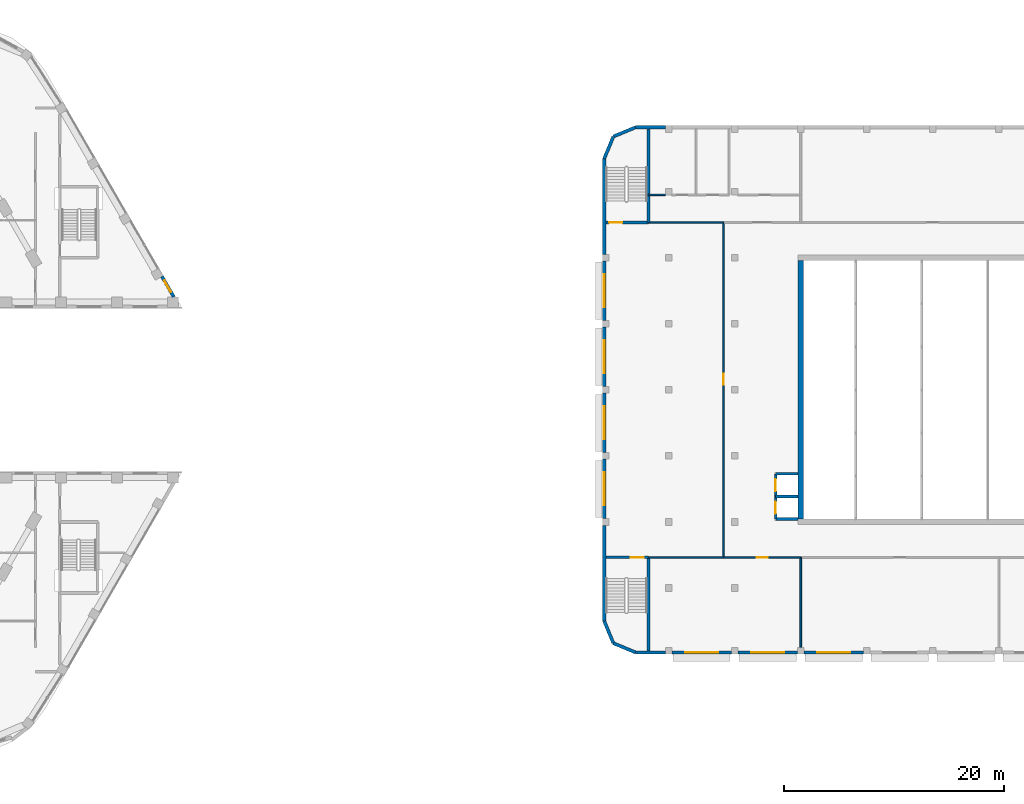
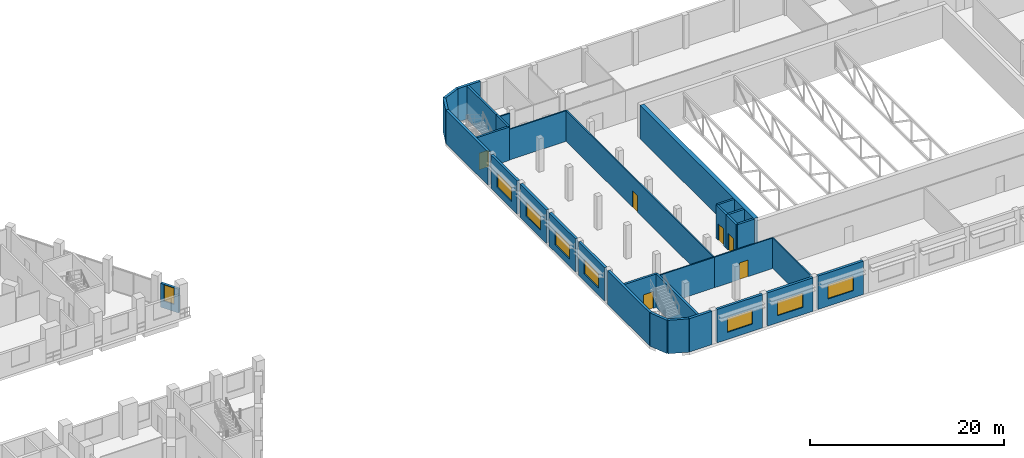
# One storey, part 26 of 47: 33 walls, 8 windows, 6 doors, 14 openings.
"""IFC4 building model written with IfcOpenShell, lengths in metres."""

from ifc_helpers import new_model, si_unit, direction, frame, frame_2d, origin, place, context, subcontext, project, spatial, rectangle, extrude, material, layer, layer_set, type_object, element, fill, save


model = new_model("IFC4")

# Units and contexts
model_context = context("Model", 3, precision=1e-05, world=origin(), true_north=direction((0.0, 1.0)))
body_context = subcontext(model_context, "Body", "Model", "MODEL_VIEW")
ifc_project = project(units=[si_unit("LENGTHUNIT", "METRE"), si_unit("AREAUNIT", "SQUARE_METRE"), si_unit("VOLUMEUNIT", "CUBIC_METRE"), si_unit("PLANEANGLEUNIT", "RADIAN"), si_unit("MASSUNIT", "GRAM", prefix="KILO")], contexts=[model_context])

# Site, building, storey
site_placement = place(None, origin())
site = spatial("IfcSite", under=ifc_project, at=site_placement, CompositionType="ELEMENT")
building_placement = place(site_placement, origin())
building = spatial("IfcBuilding", under=site, at=building_placement, Name="Nakaniwa Court", CompositionType="ELEMENT")
storey_placement = place(building_placement, frame((0.0, 0.0, 15.60009765625)))
storey = spatial("IfcBuildingStorey", under=building, at=storey_placement, Name="L03", CompositionType="ELEMENT", Elevation=15.60009765625)

# Wall
ifc_material_1 = material(Name="Concrete C50/60", Category="concrete")
ifc_layer_1 = layer(ifc_material_1, 0.5)
ifc_layer_set_1 = layer_set([ifc_layer_1], Name="Concrete C50/60")
wall_type_1 = type_object("IfcWallType", Name="Auditorium acoustic mass wall RC 500", PredefinedType="SHEAR", material=ifc_layer_set_1)
wall_1_placement = place(storey_placement, frame((170.0, 68.25, 0.0), z_axis=(0.0, 0.0, 1.0), x_axis=(0.0, 1.0, 0.0)))
element("IfcWall", 1, at=wall_1_placement, inside=storey, type_object=wall_type_1, Name="Auditorium west wall L03", PredefinedType="SHEAR", context=body_context, shape_type="SweptSolid", body=[
    extrude(rectangle(XDim=23.5, YDim=0.5, at=frame_2d((11.75, 0.0))), origin(), (0.0, 0.0, 1.0), 4.199951171875),
])

# Wall, opening, window
ifc_material_2 = material(Name="Charcoal ceramic cladding")
ifc_layer_2 = layer(ifc_material_2, 0.02, Name="Ceramic cladding")
ifc_material_3 = material(Name="Ventilated air cavity")
ifc_layer_3 = layer(ifc_material_3, 0.04, ventilated=True, Name="Ventilated cavity")
ifc_material_4 = material(Name="Mineral wool insulation")
ifc_layer_4 = layer(ifc_material_4, 0.1, Name="Insulation")
ifc_material_5 = material(Name="Cement bonded sheathing board")
ifc_layer_5 = layer(ifc_material_5, 0.012, Name="Sheathing")
ifc_material_6 = material(Name="Cold-formed galvanised stud frame with mineral wool infill")
ifc_layer_6 = layer(ifc_material_6, 0.1, Name="Stud frame")
ifc_material_7 = material(Name="Fire-rated gypsum plasterboard lining")
ifc_layer_7 = layer(ifc_material_7, 0.028, Name="Lining")
ifc_layer_set_2 = layer_set([ifc_layer_2, ifc_layer_3, ifc_layer_4, ifc_layer_5, ifc_layer_6, ifc_layer_7], Name="Charcoal ceramic faced external wall system")
wall_type_2 = type_object("IfcWallType", Name="Black ceramic faced external wall 300", PredefinedType="SOLIDWALL", material=ifc_layer_set_2)
wall_2_placement = place(storey_placement, frame((113.055419921875, 88.446533203125, 0.0), z_axis=(0.0, 0.0, 1.0), x_axis=(-0.499987977232, 0.866032345022, 0.0)))
wall_2 = element("IfcWall", 2, at=wall_2_placement, inside=storey, type_object=wall_type_2, Name="L03 external wall 39", PredefinedType="SOLIDWALL", context=body_context, shape_type="SweptSolid", body=[
    extrude(rectangle(XDim=2.14892578125, YDim=0.300048828125, at=frame_2d((1.074462890625, 0.0))), origin(), (0.0, 0.0, 1.0), 3.0),
])
opening_1_placement = place(wall_2_placement, frame((0.525146484375, 0.0, 0.89990234375)))
opening_1 = element("IfcOpeningElement", 3, at=opening_1_placement, cuts=wall_2, Name="Opening W1.34", PredefinedType="OPENING", context=body_context, shape_type="SweptSolid", body=[
    extrude(rectangle(XDim=1.199951171875, YDim=2.050048828125, at=frame_2d((0.60009765625, 1.02490234375))), frame((0.0, 0.159912109375, 0.0), z_axis=(0.0, -1.0, 0.0), x_axis=(1.0, 0.0, 0.0)), (0.0, 0.0, 1.0), 0.320068359375),
])
ifc_material_8 = material(Name="Black anodised aluminium frame with dark low-E laminated double glazing", Category="aluminium")
window_type_1 = type_object("IfcWindowType", Name="Dark glass window 1200x2050 sill 900", PartitioningType="SINGLE_PANEL", PredefinedType="WINDOW", material=ifc_material_8)
window_1_placement = place(opening_1_placement, origin())
window_1 = element("IfcWindow", 4, at=window_1_placement, inside=storey, type_object=window_type_1, Name="L03 habitable room window 39-0", OverallHeight=2.050048828125, OverallWidth=1.199951171875, PartitioningType="SINGLE_PANEL", PredefinedType="WINDOW", context=body_context, shape_type="SweptSolid", body=[
    extrude(rectangle(XDim=1.199951171875, YDim=2.050048828125, at=frame_2d((0.60009765625, 1.02490234375))), frame((0.0, 0.030029296875, 0.0), z_axis=(0.0, -1.0, 0.0), x_axis=(1.0, 0.0, 0.0)), (0.0, 0.0, 1.0), 0.06005859375),
])
fill(opening_1, window_1)

# Walls
ifc_layer_8 = layer(ifc_material_1, 0.300048828125)
ifc_layer_set_3 = layer_set([ifc_layer_8], Name="Concrete C50/60")
wall_type_3 = type_object("IfcWallType", Name="Fair faced concrete wall 300", PredefinedType="SOLIDWALL", material=ifc_layer_set_3)
for number, where, z_axis, x_axis, name in (
    (5, (155.0, 56.14990234375, 0.0), (0.0, 0.0, 1.0), (-0.923892706888, 0.382651625058, 0.0), "Facade wall L03 1"),
    (6, (152.984619140625, 56.984619140625, 0.0), (0.0, 0.0, 1.0), (-0.382651625058, 0.923892706888, 0.0), "Facade wall L03 2"),
):
    element("IfcWall", number, at=place(storey_placement, frame(where, z_axis=z_axis, x_axis=x_axis)), inside=storey, type_object=wall_type_3, Name=name, PredefinedType="SOLIDWALL", context=body_context, shape_type="SweptSolid", body=[
        extrude(rectangle(XDim=2.181396484375, YDim=0.300048828125, at=frame_2d((1.0908203125, 0.0))), origin(), (0.0, 0.0, 1.0), 4.199951171875),
    ])
wall_3_placement = place(storey_placement, frame((152.14990234375, 59.0, 0.0), z_axis=(0.0, 0.0, 1.0), x_axis=(0.0, 1.0, 0.0)))
element("IfcWall", 7, at=wall_3_placement, inside=storey, type_object=wall_type_3, Name="Facade wall L03 3", PredefinedType="SOLIDWALL", context=body_context, shape_type="SweptSolid", body=[
    extrude(rectangle(XDim=8.699951171875, YDim=0.300048828125, at=frame_2d((4.35009765625, 0.0))), origin(), (0.0, 0.0, 1.0), 4.199951171875),
])

# Wall, opening, window
wall_4_placement = place(storey_placement, frame((152.14990234375, 68.300048828125, 0.0), z_axis=(0.0, 0.0, 1.0), x_axis=(0.0, 1.0, 0.0)))
wall_4 = element("IfcWall", 8, at=wall_4_placement, inside=storey, type_object=wall_type_3, Name="Facade wall L03 4", PredefinedType="SOLIDWALL", context=body_context, shape_type="SweptSolid", body=[
    extrude(rectangle(XDim=5.39990234375, YDim=0.300048828125, at=frame_2d((2.699951171875, 0.0))), origin(), (0.0, 0.0, 1.0), 4.199951171875),
])
opening_2_placement = place(wall_4_placement, frame((1.199951171875, 0.0, 0.89990234375)))
opening_2 = element("IfcOpeningElement", 9, at=opening_2_placement, cuts=wall_4, Name="Opening HWN-52", PredefinedType="OPENING", context=body_context, shape_type="SweptSolid", body=[
    extrude(rectangle(XDim=3.0, YDim=1.800048828125, at=frame_2d((1.5, 0.89990234375))), frame((0.0, 0.159912109375, 0.0), z_axis=(0.0, -1.0, 0.0), x_axis=(1.0, 0.0, 0.0)), (0.0, 0.0, 1.0), 0.320068359375),
])
ifc_material_9 = material(Name="Black powder-coated aluminium frame with dark glass", Category="aluminium")
window_type_2 = type_object("IfcWindowType", Name="Hall window 3000x1800", PartitioningType="SINGLE_PANEL", PredefinedType="WINDOW", material=ifc_material_9)
window_2_placement = place(opening_2_placement, origin())
window_2 = element("IfcWindow", 10, at=window_2_placement, inside=storey, type_object=window_type_2, Name="Window L03:003", OverallHeight=1.800048828125, OverallWidth=3.0, PartitioningType="SINGLE_PANEL", PredefinedType="WINDOW", context=body_context, shape_type="SweptSolid", body=[
    extrude(rectangle(XDim=3.0, YDim=1.800048828125, at=frame_2d((1.5, 0.89990234375))), frame((0.0, 0.030029296875, 0.0), z_axis=(0.0, -1.0, 0.0), x_axis=(1.0, 0.0, 0.0)), (0.0, 0.0, 1.0), 0.06005859375),
])
fill(opening_2, window_2)

wall_5_placement = place(storey_placement, frame((152.14990234375, 74.300048828125, 0.0), z_axis=(0.0, 0.0, 1.0), x_axis=(0.0, 1.0, 0.0)))
wall_5 = element("IfcWall", 11, at=wall_5_placement, inside=storey, type_object=wall_type_3, Name="Facade wall L03 5", PredefinedType="SOLIDWALL", context=body_context, shape_type="SweptSolid", body=[
    extrude(rectangle(XDim=5.39990234375, YDim=0.300048828125, at=frame_2d((2.699951171875, 0.0))), origin(), (0.0, 0.0, 1.0), 4.199951171875),
])
opening_3_placement = place(wall_5_placement, frame((1.199951171875, 0.0, 0.89990234375)))
opening_3 = element("IfcOpeningElement", 12, at=opening_3_placement, cuts=wall_5, Name="Opening HWN-53", PredefinedType="OPENING", context=body_context, shape_type="SweptSolid", body=[
    extrude(rectangle(XDim=3.0, YDim=1.800048828125, at=frame_2d((1.5, 0.89990234375))), frame((0.0, 0.159912109375, 0.0), z_axis=(0.0, -1.0, 0.0), x_axis=(1.0, 0.0, 0.0)), (0.0, 0.0, 1.0), 0.320068359375),
])
window_3_placement = place(opening_3_placement, origin())
window_3 = element("IfcWindow", 13, at=window_3_placement, inside=storey, type_object=window_type_2, Name="Window L03:004", OverallHeight=1.800048828125, OverallWidth=3.0, PartitioningType="SINGLE_PANEL", PredefinedType="WINDOW", context=body_context, shape_type="SweptSolid", body=[
    extrude(rectangle(XDim=3.0, YDim=1.800048828125, at=frame_2d((1.5, 0.89990234375))), frame((0.0, 0.030029296875, 0.0), z_axis=(0.0, -1.0, 0.0), x_axis=(1.0, 0.0, 0.0)), (0.0, 0.0, 1.0), 0.06005859375),
])
fill(opening_3, window_3)

wall_6_placement = place(storey_placement, frame((152.14990234375, 80.300048828125, 0.0), z_axis=(0.0, 0.0, 1.0), x_axis=(0.0, 1.0, 0.0)))
wall_6 = element("IfcWall", 14, at=wall_6_placement, inside=storey, type_object=wall_type_3, Name="Facade wall L03 6", PredefinedType="SOLIDWALL", context=body_context, shape_type="SweptSolid", body=[
    extrude(rectangle(XDim=5.39990234375, YDim=0.300048828125, at=frame_2d((2.699951171875, 0.0))), origin(), (0.0, 0.0, 1.0), 4.199951171875),
])
opening_4_placement = place(wall_6_placement, frame((1.199951171875, 0.0, 0.89990234375)))
opening_4 = element("IfcOpeningElement", 15, at=opening_4_placement, cuts=wall_6, Name="Opening HWN-54", PredefinedType="OPENING", context=body_context, shape_type="SweptSolid", body=[
    extrude(rectangle(XDim=3.0, YDim=1.800048828125, at=frame_2d((1.5, 0.89990234375))), frame((0.0, 0.159912109375, 0.0), z_axis=(0.0, -1.0, 0.0), x_axis=(1.0, 0.0, 0.0)), (0.0, 0.0, 1.0), 0.320068359375),
])
window_4_placement = place(opening_4_placement, origin())
window_4 = element("IfcWindow", 16, at=window_4_placement, inside=storey, type_object=window_type_2, Name="Window L03:005", OverallHeight=1.800048828125, OverallWidth=3.0, PartitioningType="SINGLE_PANEL", PredefinedType="WINDOW", context=body_context, shape_type="SweptSolid", body=[
    extrude(rectangle(XDim=3.0, YDim=1.800048828125, at=frame_2d((1.5, 0.89990234375))), frame((0.0, 0.030029296875, 0.0), z_axis=(0.0, -1.0, 0.0), x_axis=(1.0, 0.0, 0.0)), (0.0, 0.0, 1.0), 0.06005859375),
])
fill(opening_4, window_4)

wall_7_placement = place(storey_placement, frame((152.14990234375, 86.300048828125, 0.0), z_axis=(0.0, 0.0, 1.0), x_axis=(0.0, 1.0, 0.0)))
wall_7 = element("IfcWall", 17, at=wall_7_placement, inside=storey, type_object=wall_type_3, Name="Facade wall L03 7", PredefinedType="SOLIDWALL", context=body_context, shape_type="SweptSolid", body=[
    extrude(rectangle(XDim=5.39990234375, YDim=0.300048828125, at=frame_2d((2.699951171875, 0.0))), origin(), (0.0, 0.0, 1.0), 4.199951171875),
])
opening_5_placement = place(wall_7_placement, frame((1.199951171875, 0.0, 0.89990234375)))
opening_5 = element("IfcOpeningElement", 18, at=opening_5_placement, cuts=wall_7, Name="Opening HWN-55", PredefinedType="OPENING", context=body_context, shape_type="SweptSolid", body=[
    extrude(rectangle(XDim=3.0, YDim=1.800048828125, at=frame_2d((1.5, 0.89990234375))), frame((0.0, 0.159912109375, 0.0), z_axis=(0.0, -1.0, 0.0), x_axis=(1.0, 0.0, 0.0)), (0.0, 0.0, 1.0), 0.320068359375),
])
window_5_placement = place(opening_5_placement, origin())
window_5 = element("IfcWindow", 19, at=window_5_placement, inside=storey, type_object=window_type_2, Name="Window L03:006", OverallHeight=1.800048828125, OverallWidth=3.0, PartitioningType="SINGLE_PANEL", PredefinedType="WINDOW", context=body_context, shape_type="SweptSolid", body=[
    extrude(rectangle(XDim=3.0, YDim=1.800048828125, at=frame_2d((1.5, 0.89990234375))), frame((0.0, 0.030029296875, 0.0), z_axis=(0.0, -1.0, 0.0), x_axis=(1.0, 0.0, 0.0)), (0.0, 0.0, 1.0), 0.06005859375),
])
fill(opening_5, window_5)

# Walls
wall_8_placement = place(storey_placement, frame((152.14990234375, 92.300048828125, 0.0), z_axis=(0.0, 0.0, 1.0), x_axis=(0.0, 1.0, 0.0)))
element("IfcWall", 20, at=wall_8_placement, inside=storey, type_object=wall_type_3, Name="Facade wall L03 8", PredefinedType="SOLIDWALL", context=body_context, shape_type="SweptSolid", body=[
    extrude(rectangle(XDim=8.699951171875, YDim=0.300048828125, at=frame_2d((4.35009765625, 0.0))), origin(), (0.0, 0.0, 1.0), 4.199951171875),
])
for number, where, z_axis, x_axis, name in (
    (21, (152.14990234375, 101.0, 0.0), (0.0, 0.0, 1.0), (0.382651625058, 0.923892706888, 0.0), "Facade wall L03 9"),
    (22, (152.984619140625, 103.015380859375, 0.0), (0.0, 0.0, 1.0), (0.923892706888, 0.382651625058, 0.0), "Facade wall L03 10"),
):
    element("IfcWall", number, at=place(storey_placement, frame(where, z_axis=z_axis, x_axis=x_axis)), inside=storey, type_object=wall_type_3, Name=name, PredefinedType="SOLIDWALL", context=body_context, shape_type="SweptSolid", body=[
        extrude(rectangle(XDim=2.181396484375, YDim=0.300048828125, at=frame_2d((1.0908203125, 0.0))), origin(), (0.0, 0.0, 1.0), 4.199951171875),
    ])
wall_9_placement = place(storey_placement, frame((155.0, 103.85009765625, 0.0), z_axis=(0.0, 0.0, 1.0), x_axis=(1.0, 0.0, 0.0)))
element("IfcWall", 23, at=wall_9_placement, inside=storey, type_object=wall_type_3, Name="Facade wall L03 11", PredefinedType="SOLIDWALL", context=body_context, shape_type="SweptSolid", body=[
    extrude(rectangle(XDim=2.699951171875, YDim=0.300048828125, at=frame_2d((1.35009765625, 0.0))), origin(), (0.0, 0.0, 1.0), 4.199951171875),
])

# Wall, opening, window
wall_10_placement = place(storey_placement, frame((175.699951171875, 56.14990234375, 0.0), z_axis=(0.0, 0.0, 1.0), x_axis=(-1.0, 0.0, 0.0)))
wall_10 = element("IfcWall", 24, at=wall_10_placement, inside=storey, type_object=wall_type_3, Name="Facade wall L03 39", PredefinedType="SOLIDWALL", context=body_context, shape_type="SweptSolid", body=[
    extrude(rectangle(XDim=5.39990234375, YDim=0.300048828125, at=frame_2d((2.699951171875, 0.0))), origin(), (0.0, 0.0, 1.0), 4.199951171875),
])
opening_6_placement = place(wall_10_placement, frame((1.199951171875, 0.0, 0.89990234375)))
opening_6 = element("IfcOpeningElement", 25, at=opening_6_placement, cuts=wall_10, Name="Opening HWN-61", PredefinedType="OPENING", context=body_context, shape_type="SweptSolid", body=[
    extrude(rectangle(XDim=3.0, YDim=1.800048828125, at=frame_2d((1.5, 0.89990234375))), frame((0.0, 0.159912109375, 0.0), z_axis=(0.0, -1.0, 0.0), x_axis=(1.0, 0.0, 0.0)), (0.0, 0.0, 1.0), 0.320068359375),
])
window_6_placement = place(opening_6_placement, origin())
window_6 = element("IfcWindow", 26, at=window_6_placement, inside=storey, type_object=window_type_2, Name="Window L03:038", OverallHeight=1.800048828125, OverallWidth=3.0, PartitioningType="SINGLE_PANEL", PredefinedType="WINDOW", context=body_context, shape_type="SweptSolid", body=[
    extrude(rectangle(XDim=3.0, YDim=1.800048828125, at=frame_2d((1.5, 0.89990234375))), frame((0.0, 0.030029296875, 0.0), z_axis=(0.0, -1.0, 0.0), x_axis=(1.0, 0.0, 0.0)), (0.0, 0.0, 1.0), 0.06005859375),
])
fill(opening_6, window_6)

wall_11_placement = place(storey_placement, frame((169.699951171875, 56.14990234375, 0.0), z_axis=(0.0, 0.0, 1.0), x_axis=(-1.0, 0.0, 0.0)))
wall_11 = element("IfcWall", 27, at=wall_11_placement, inside=storey, type_object=wall_type_3, Name="Facade wall L03 40", PredefinedType="SOLIDWALL", context=body_context, shape_type="SweptSolid", body=[
    extrude(rectangle(XDim=5.39990234375, YDim=0.300048828125, at=frame_2d((2.699951171875, 0.0))), origin(), (0.0, 0.0, 1.0), 4.199951171875),
])
opening_7_placement = place(wall_11_placement, frame((1.199951171875, 0.0, 0.89990234375)))
opening_7 = element("IfcOpeningElement", 28, at=opening_7_placement, cuts=wall_11, Name="Opening HWN-62", PredefinedType="OPENING", context=body_context, shape_type="SweptSolid", body=[
    extrude(rectangle(XDim=3.0, YDim=1.800048828125, at=frame_2d((1.5, 0.89990234375))), frame((0.0, 0.159912109375, 0.0), z_axis=(0.0, -1.0, 0.0), x_axis=(1.0, 0.0, 0.0)), (0.0, 0.0, 1.0), 0.320068359375),
])
window_7_placement = place(opening_7_placement, origin())
window_7 = element("IfcWindow", 29, at=window_7_placement, inside=storey, type_object=window_type_2, Name="Window L03:039", OverallHeight=1.800048828125, OverallWidth=3.0, PartitioningType="SINGLE_PANEL", PredefinedType="WINDOW", context=body_context, shape_type="SweptSolid", body=[
    extrude(rectangle(XDim=3.0, YDim=1.800048828125, at=frame_2d((1.5, 0.89990234375))), frame((0.0, 0.030029296875, 0.0), z_axis=(0.0, -1.0, 0.0), x_axis=(1.0, 0.0, 0.0)), (0.0, 0.0, 1.0), 0.06005859375),
])
fill(opening_7, window_7)

wall_12_placement = place(storey_placement, frame((163.699951171875, 56.14990234375, 0.0), z_axis=(0.0, 0.0, 1.0), x_axis=(-1.0, 0.0, 0.0)))
wall_12 = element("IfcWall", 30, at=wall_12_placement, inside=storey, type_object=wall_type_3, Name="Facade wall L03 41", PredefinedType="SOLIDWALL", context=body_context, shape_type="SweptSolid", body=[
    extrude(rectangle(XDim=5.39990234375, YDim=0.300048828125, at=frame_2d((2.699951171875, 0.0))), origin(), (0.0, 0.0, 1.0), 4.199951171875),
])
opening_8_placement = place(wall_12_placement, frame((1.199951171875, 0.0, 0.89990234375)))
opening_8 = element("IfcOpeningElement", 31, at=opening_8_placement, cuts=wall_12, Name="Opening HWN-63", PredefinedType="OPENING", context=body_context, shape_type="SweptSolid", body=[
    extrude(rectangle(XDim=3.0, YDim=1.800048828125, at=frame_2d((1.5, 0.89990234375))), frame((0.0, 0.159912109375, 0.0), z_axis=(0.0, -1.0, 0.0), x_axis=(1.0, 0.0, 0.0)), (0.0, 0.0, 1.0), 0.320068359375),
])
window_8_placement = place(opening_8_placement, origin())
window_8 = element("IfcWindow", 32, at=window_8_placement, inside=storey, type_object=window_type_2, Name="Window L03:040", OverallHeight=1.800048828125, OverallWidth=3.0, PartitioningType="SINGLE_PANEL", PredefinedType="WINDOW", context=body_context, shape_type="SweptSolid", body=[
    extrude(rectangle(XDim=3.0, YDim=1.800048828125, at=frame_2d((1.5, 0.89990234375))), frame((0.0, 0.030029296875, 0.0), z_axis=(0.0, -1.0, 0.0), x_axis=(1.0, 0.0, 0.0)), (0.0, 0.0, 1.0), 0.06005859375),
])
fill(opening_8, window_8)

# Wall
wall_13_placement = place(storey_placement, frame((157.699951171875, 56.14990234375, 0.0), z_axis=(0.0, 0.0, 1.0), x_axis=(-1.0, 0.0, 0.0)))
element("IfcWall", 33, at=wall_13_placement, inside=storey, type_object=wall_type_3, Name="Facade wall L03 42", PredefinedType="SOLIDWALL", context=body_context, shape_type="SweptSolid", body=[
    extrude(rectangle(XDim=2.699951171875, YDim=0.300048828125, at=frame_2d((1.35009765625, 0.0))), origin(), (0.0, 0.0, 1.0), 4.199951171875),
])

# Wall, opening, door
ifc_material_10 = material(Name="Concrete C40/50", Category="concrete")
ifc_layer_9 = layer(ifc_material_10, 0.25)
ifc_layer_set_4 = layer_set([ifc_layer_9], Name="Concrete C40/50")
wall_type_4 = type_object("IfcWallType", Name="Fire isolated shaft wall RC 250", PredefinedType="SOLIDWALL", material=ifc_layer_set_4)
wall_14_placement = place(storey_placement, frame((156.175048828125, 64.784912109375, 0.0), z_axis=(0.0, 0.0, 1.0), x_axis=(-1.0, 0.0, 0.0)))
wall_14 = element("IfcWall", 34, at=wall_14_placement, inside=storey, type_object=wall_type_4, Name="L03 shaft wall 1", PredefinedType="SOLIDWALL", context=body_context, shape_type="SweptSolid", body=[
    extrude(rectangle(XDim=3.875, YDim=0.25, at=frame_2d((1.9375, 0.0))), origin(), (0.0, 0.0, 1.0), 4.199951171875),
])
opening_9_placement = place(wall_14_placement, frame((0.425048828125, 0.0, 0.0)))
opening_9 = element("IfcOpeningElement", 35, at=opening_9_placement, cuts=wall_14, Name="Opening HD-110", PredefinedType="OPENING", context=body_context, shape_type="SweptSolid", body=[
    extrude(rectangle(XDim=1.199951171875, YDim=2.10009765625, at=frame_2d((0.60009765625, 1.050048828125))), frame((0.0, 0.135009765625, 0.0), z_axis=(0.0, -1.0, 0.0), x_axis=(1.0, 0.0, 0.0)), (0.0, 0.0, 1.0), 0.27001953125),
])
ifc_material_11 = material(Name="Insulated steel door leaf in steel frame", Category="steel")
door_type_1 = type_object("IfcDoorType", Name="Hall stair door 1200x2100", OperationType="SINGLE_SWING_LEFT", PredefinedType="DOOR", material=ifc_material_11)
door_1_placement = place(opening_9_placement, origin())
door_1 = element("IfcDoor", 36, at=door_1_placement, inside=storey, type_object=door_type_1, Name="L03 door Exit-stair-H1", OperationType="SINGLE_SWING_LEFT", OverallHeight=2.10009765625, OverallWidth=1.199951171875, PredefinedType="DOOR", context=body_context, shape_type="SweptSolid", body=[
    extrude(rectangle(XDim=1.199951171875, YDim=2.10009765625, at=frame_2d((0.60009765625, 1.050048828125))), frame((0.0, 0.02490234375, 0.0), z_axis=(0.0, -1.0, 0.0), x_axis=(1.0, 0.0, 0.0)), (0.0, 0.0, 1.0), 0.050048828125),
])
fill(opening_9, door_1)

wall_15_placement = place(storey_placement, frame((152.300048828125, 95.215087890625, 0.0), z_axis=(0.0, 0.0, 1.0), x_axis=(1.0, 0.0, 0.0)))
wall_15 = element("IfcWall", 37, at=wall_15_placement, inside=storey, type_object=wall_type_4, Name="L03 shaft wall 2", PredefinedType="SOLIDWALL", context=body_context, shape_type="SweptSolid", body=[
    extrude(rectangle(XDim=3.875, YDim=0.25, at=frame_2d((1.9375, 0.0))), origin(), (0.0, 0.0, 1.0), 4.199951171875),
])
opening_10_placement = place(wall_15_placement, frame((0.300048828125, 0.0, 0.0)))
opening_10 = element("IfcOpeningElement", 38, at=opening_10_placement, cuts=wall_15, Name="Opening HD-111", PredefinedType="OPENING", context=body_context, shape_type="SweptSolid", body=[
    extrude(rectangle(XDim=1.199951171875, YDim=2.10009765625, at=frame_2d((0.60009765625, 1.050048828125))), frame((0.0, 0.135009765625, 0.0), z_axis=(0.0, -1.0, 0.0), x_axis=(1.0, 0.0, 0.0)), (0.0, 0.0, 1.0), 0.27001953125),
])
door_2_placement = place(opening_10_placement, origin())
door_2 = element("IfcDoor", 39, at=door_2_placement, inside=storey, type_object=door_type_1, Name="L03 door Exit-stair-H2", OperationType="SINGLE_SWING_RIGHT", OverallHeight=2.10009765625, OverallWidth=1.199951171875, PredefinedType="DOOR", context=body_context, shape_type="SweptSolid", body=[
    extrude(rectangle(XDim=1.199951171875, YDim=2.10009765625, at=frame_2d((0.60009765625, 1.050048828125))), frame((0.0, 0.02490234375, 0.0), z_axis=(0.0, -1.0, 0.0), x_axis=(1.0, 0.0, 0.0)), (0.0, 0.0, 1.0), 0.050048828125),
])
fill(opening_10, door_2)

# Walls
wall_16_placement = place(storey_placement, frame((156.175048828125, 64.784912109375, 0.0), z_axis=(0.0, 0.0, 1.0), x_axis=(0.0, -1.0, 0.0)))
element("IfcWall", 40, at=wall_16_placement, inside=storey, type_object=wall_type_4, Name="L03 shaft wall 3", PredefinedType="SOLIDWALL", context=body_context, shape_type="SweptSolid", body=[
    extrude(rectangle(XDim=8.48486328125, YDim=0.25, at=frame_2d((4.242431640625, 0.0))), origin(), (0.0, 0.0, 1.0), 4.199951171875),
])
wall_17_placement = place(storey_placement, frame((156.175048828125, 97.715087890625, 0.0), z_axis=(0.0, 0.0, 1.0), x_axis=(0.0, -1.0, 0.0)))
element("IfcWall", 41, at=wall_17_placement, inside=storey, type_object=wall_type_4, Name="L03 shaft wall 6", PredefinedType="SOLIDWALL", context=body_context, shape_type="SweptSolid", body=[
    extrude(rectangle(XDim=2.5, YDim=0.25, at=frame_2d((1.25, 0.0))), origin(), (0.0, 0.0, 1.0), 4.199951171875),
])
wall_18_placement = place(storey_placement, frame((156.175048828125, 103.699951171875, 0.0), z_axis=(0.0, 0.0, 1.0), x_axis=(0.0, -1.0, 0.0)))
element("IfcWall", 42, at=wall_18_placement, inside=storey, type_object=wall_type_4, Name="L03 shaft wall 9", PredefinedType="SOLIDWALL", context=body_context, shape_type="SweptSolid", body=[
    extrude(rectangle(XDim=5.98486328125, YDim=0.25, at=frame_2d((2.992431640625, 0.0))), origin(), (0.0, 0.0, 1.0), 4.199951171875),
])
for number, where, z_axis, x_axis, name in (
    (43, (167.72509765625, 70.324951171875, 0.0), (0.0, 0.0, 1.0), (1.0, 0.0, 0.0), "L03 shaft wall 17"),
    (44, (169.75, 72.375, 0.0), (0.0, 0.0, 1.0), (-1.0, 0.0, 0.0), "L03 shaft wall 18"),
):
    element("IfcWall", number, at=place(storey_placement, frame(where, z_axis=z_axis, x_axis=x_axis)), inside=storey, type_object=wall_type_4, Name=name, PredefinedType="SOLIDWALL", context=body_context, shape_type="SweptSolid", body=[
        extrude(rectangle(XDim=2.02490234375, YDim=0.25, at=frame_2d((1.012451171875, 0.0))), origin(), (0.0, 0.0, 1.0), 4.199951171875),
    ])

# Wall, opening, door
wall_19_placement = place(storey_placement, frame((167.72509765625, 72.375, 0.0), z_axis=(0.0, 0.0, 1.0), x_axis=(0.0, -1.0, 0.0)))
wall_19 = element("IfcWall", 45, at=wall_19_placement, inside=storey, type_object=wall_type_4, Name="L03 shaft wall 19", PredefinedType="SOLIDWALL", context=body_context, shape_type="SweptSolid", body=[
    extrude(rectangle(XDim=2.050048828125, YDim=0.25, at=frame_2d((1.02490234375, 0.0))), origin(), (0.0, 0.0, 1.0), 4.199951171875),
])
opening_11_placement = place(wall_19_placement, frame((0.47509765625, 0.0, 0.0)))
opening_11 = element("IfcOpeningElement", 46, at=opening_11_placement, cuts=wall_19, Name="Opening LD-01", PredefinedType="OPENING", context=body_context, shape_type="SweptSolid", body=[
    extrude(rectangle(XDim=1.10009765625, YDim=2.10009765625, at=frame_2d((0.550048828125, 1.050048828125))), frame((0.0, 0.135009765625, 0.0), z_axis=(0.0, -1.0, 0.0), x_axis=(1.0, 0.0, 0.0)), (0.0, 0.0, 1.0), 0.27001953125),
])
ifc_material_12 = material(Name="Brushed stainless steel sliding landing door", Category="steel")
door_type_2 = type_object("IfcDoorType", Name="Hall lift landing door 1100x2100", OperationType="SLIDING_TO_LEFT", PredefinedType="DOOR", material=ifc_material_12)
door_3_placement = place(opening_11_placement, origin())
door_3 = element("IfcDoor", 47, at=door_3_placement, inside=storey, type_object=door_type_2, Name="L03 lift landing door HL2", OperationType="SLIDING_TO_LEFT", OverallHeight=2.10009765625, OverallWidth=1.10009765625, PredefinedType="DOOR", context=body_context, shape_type="SweptSolid", body=[
    extrude(rectangle(XDim=1.10009765625, YDim=2.10009765625, at=frame_2d((0.550048828125, 1.050048828125))), frame((0.0, 0.02490234375, 0.0), z_axis=(0.0, -1.0, 0.0), x_axis=(1.0, 0.0, 0.0)), (0.0, 0.0, 1.0), 0.050048828125),
])
fill(opening_11, door_3)

wall_20_placement = place(storey_placement, frame((167.72509765625, 70.324951171875, 0.0), z_axis=(0.0, 0.0, 1.0), x_axis=(0.0, -1.0, 0.0)))
wall_20 = element("IfcWall", 48, at=wall_20_placement, inside=storey, type_object=wall_type_4, Name="L03 shaft wall 20", PredefinedType="SOLIDWALL", context=body_context, shape_type="SweptSolid", body=[
    extrude(rectangle(XDim=2.050048828125, YDim=0.25, at=frame_2d((1.02490234375, 0.0))), origin(), (0.0, 0.0, 1.0), 4.199951171875),
])
opening_12_placement = place(wall_20_placement, frame((0.47509765625, 0.0, 0.0)))
opening_12 = element("IfcOpeningElement", 49, at=opening_12_placement, cuts=wall_20, Name="Opening LD-02", PredefinedType="OPENING", context=body_context, shape_type="SweptSolid", body=[
    extrude(rectangle(XDim=1.10009765625, YDim=2.10009765625, at=frame_2d((0.550048828125, 1.050048828125))), frame((0.0, 0.135009765625, 0.0), z_axis=(0.0, -1.0, 0.0), x_axis=(1.0, 0.0, 0.0)), (0.0, 0.0, 1.0), 0.27001953125),
])
door_4_placement = place(opening_12_placement, origin())
door_4 = element("IfcDoor", 50, at=door_4_placement, inside=storey, type_object=door_type_2, Name="L03 lift landing door HL1", OperationType="SLIDING_TO_LEFT", OverallHeight=2.10009765625, OverallWidth=1.10009765625, PredefinedType="DOOR", context=body_context, shape_type="SweptSolid", body=[
    extrude(rectangle(XDim=1.10009765625, YDim=2.10009765625, at=frame_2d((0.550048828125, 1.050048828125))), frame((0.0, 0.02490234375, 0.0), z_axis=(0.0, -1.0, 0.0), x_axis=(1.0, 0.0, 0.0)), (0.0, 0.0, 1.0), 0.050048828125),
])
fill(opening_12, door_4)

# Walls
wall_21_placement = place(storey_placement, frame((167.72509765625, 68.27490234375, 0.0), z_axis=(0.0, 0.0, 1.0), x_axis=(1.0, 0.0, 0.0)))
element("IfcWall", 51, at=wall_21_placement, inside=storey, type_object=wall_type_4, Name="L03 shaft wall 21", PredefinedType="SOLIDWALL", context=body_context, shape_type="SweptSolid", body=[
    extrude(rectangle(XDim=2.02490234375, YDim=0.25, at=frame_2d((1.012451171875, 0.0))), origin(), (0.0, 0.0, 1.0), 4.199951171875),
])
ifc_material_13 = material(Name="Steel stud plasterboard partition", Category="steel")
ifc_layer_10 = layer(ifc_material_13, 0.14990234375)
ifc_layer_set_5 = layer_set([ifc_layer_10], Name="Steel stud plasterboard partition")
wall_type_5 = type_object("IfcWallType", Name="Partition 150", PredefinedType="PARTITIONING", material=ifc_layer_set_5)
for number, where, z_axis, x_axis, name in (
    (52, (163.0, 64.784912109375, 0.0), (0.0, 0.0, 1.0), (-1.0, 0.0, 0.0), "L03 partition wall 4"),
    (53, (163.0, 95.215087890625, 0.0), (0.0, 0.0, 1.0), (-1.0, 0.0, 0.0), "L03 partition wall 5"),
):
    element("IfcWall", number, at=place(storey_placement, frame(where, z_axis=z_axis, x_axis=x_axis)), inside=storey, type_object=wall_type_5, Name=name, PredefinedType="PARTITIONING", context=body_context, shape_type="SweptSolid", body=[
        extrude(rectangle(XDim=6.824951171875, YDim=0.14990234375, at=frame_2d((3.41259765625, 0.0))), origin(), (0.0, 0.0, 1.0), 3.849853515625),
    ])

# Wall, opening, door
wall_22_placement = place(storey_placement, frame((170.0, 64.784912109375, 0.0), z_axis=(0.0, 0.0, 1.0), x_axis=(-1.0, 0.0, 0.0)))
wall_22 = element("IfcWall", 54, at=wall_22_placement, inside=storey, type_object=wall_type_5, Name="L03 partition wall 12", PredefinedType="PARTITIONING", context=body_context, shape_type="SweptSolid", body=[
    extrude(rectangle(XDim=7.0, YDim=0.14990234375, at=frame_2d((3.5, 0.0))), origin(), (0.0, 0.0, 1.0), 3.849853515625),
])
opening_13_placement = place(wall_22_placement, frame((3.0, 0.0, 0.0)))
opening_13 = element("IfcOpeningElement", 55, at=opening_13_placement, cuts=wall_22, Name="Opening HD-114", PredefinedType="OPENING", context=body_context, shape_type="SweptSolid", body=[
    extrude(rectangle(XDim=1.0, YDim=2.10009765625, at=frame_2d((0.5, 1.050048828125))), frame((0.0, 0.0849609375, 0.0), z_axis=(0.0, -1.0, 0.0), x_axis=(1.0, 0.0, 0.0)), (0.0, 0.0, 1.0), 0.169921875),
])
ifc_material_14 = material(Name="Solid-core timber door leaf in steel frame", Category="steel")
door_type_3 = type_object("IfcDoorType", Name="Hall door 1000x2100", OperationType="SINGLE_SWING_LEFT", PredefinedType="DOOR", material=ifc_material_14)
door_5_placement = place(opening_13_placement, origin())
door_5 = element("IfcDoor", 56, at=door_5_placement, inside=storey, type_object=door_type_3, Name="L03 door General-managers-office", OperationType="SINGLE_SWING_RIGHT", OverallHeight=2.10009765625, OverallWidth=1.0, PredefinedType="DOOR", context=body_context, shape_type="SweptSolid", body=[
    extrude(rectangle(XDim=1.0, YDim=2.10009765625, at=frame_2d((0.5, 1.050048828125))), frame((0.0, 0.02490234375, 0.0), z_axis=(0.0, -1.0, 0.0), x_axis=(1.0, 0.0, 0.0)), (0.0, 0.0, 1.0), 0.050048828125),
])
fill(opening_13, door_5)

wall_23_placement = place(storey_placement, frame((163.0, 64.784912109375, 0.0), z_axis=(0.0, 0.0, 1.0), x_axis=(0.0, 1.0, 0.0)))
wall_23 = element("IfcWall", 57, at=wall_23_placement, inside=storey, type_object=wall_type_5, Name="L03 partition wall 13", PredefinedType="PARTITIONING", context=body_context, shape_type="SweptSolid", body=[
    extrude(rectangle(XDim=30.43017578125, YDim=0.14990234375, at=frame_2d((15.215087890625, 0.0))), origin(), (0.0, 0.0, 1.0), 3.849853515625),
])
opening_14_placement = place(wall_23_placement, frame((15.679931640625, 0.0, 0.0)))
opening_14 = element("IfcOpeningElement", 58, at=opening_14_placement, cuts=wall_23, Name="Opening HD-115", PredefinedType="OPENING", context=body_context, shape_type="SweptSolid", body=[
    extrude(rectangle(XDim=1.0, YDim=2.10009765625, at=frame_2d((0.5, 1.050048828125))), frame((0.0, 0.0849609375, 0.0), z_axis=(0.0, -1.0, 0.0), x_axis=(1.0, 0.0, 0.0)), (0.0, 0.0, 1.0), 0.169921875),
])
door_6_placement = place(opening_14_placement, origin())
door_6 = element("IfcDoor", 59, at=door_6_placement, inside=storey, type_object=door_type_3, Name="L03 door Administration-open-plan-office", OperationType="SINGLE_SWING_LEFT", OverallHeight=2.10009765625, OverallWidth=1.0, PredefinedType="DOOR", context=body_context, shape_type="SweptSolid", body=[
    extrude(rectangle(XDim=1.0, YDim=2.10009765625, at=frame_2d((0.5, 1.050048828125))), frame((0.0, 0.02490234375, 0.0), z_axis=(0.0, -1.0, 0.0), x_axis=(1.0, 0.0, 0.0)), (0.0, 0.0, 1.0), 0.050048828125),
])
fill(opening_14, door_6)

# Walls
wall_24_placement = place(storey_placement, frame((170.0, 64.784912109375, 0.0), z_axis=(0.0, 0.0, 1.0), x_axis=(0.0, -1.0, 0.0)))
element("IfcWall", 60, at=wall_24_placement, inside=storey, type_object=wall_type_5, Name="L03 partition wall 22", PredefinedType="PARTITIONING", context=body_context, shape_type="SweptSolid", body=[
    extrude(rectangle(XDim=8.184814453125, YDim=0.14990234375, at=frame_2d((4.09228515625, 0.0))), origin(), (0.0, 0.0, 1.0), 3.849853515625),
])
ifc_material_15 = material(Name="Moisture-resistant steel stud partition", Category="steel")
ifc_layer_11 = layer(ifc_material_15, 0.14990234375)
ifc_layer_set_6 = layer_set([ifc_layer_11], Name="Moisture-resistant steel stud partition")
wall_type_6 = type_object("IfcWallType", Name="Wet area partition 150", PredefinedType="PLUMBINGWALL", material=ifc_layer_set_6)
wall_25_placement = place(storey_placement, frame((156.175048828125, 97.715087890625, 0.0), z_axis=(0.0, 0.0, 1.0), x_axis=(1.0, 0.0, 0.0)))
element("IfcWall", 61, at=wall_25_placement, inside=storey, type_object=wall_type_6, Name="L03 partition wall 7", PredefinedType="PLUMBINGWALL", context=body_context, shape_type="SweptSolid", body=[
    extrude(rectangle(XDim=1.52490234375, YDim=0.14990234375, at=frame_2d((0.762451171875, 0.0))), origin(), (0.0, 0.0, 1.0), 3.849853515625),
])

save(model, "model.ifc")
